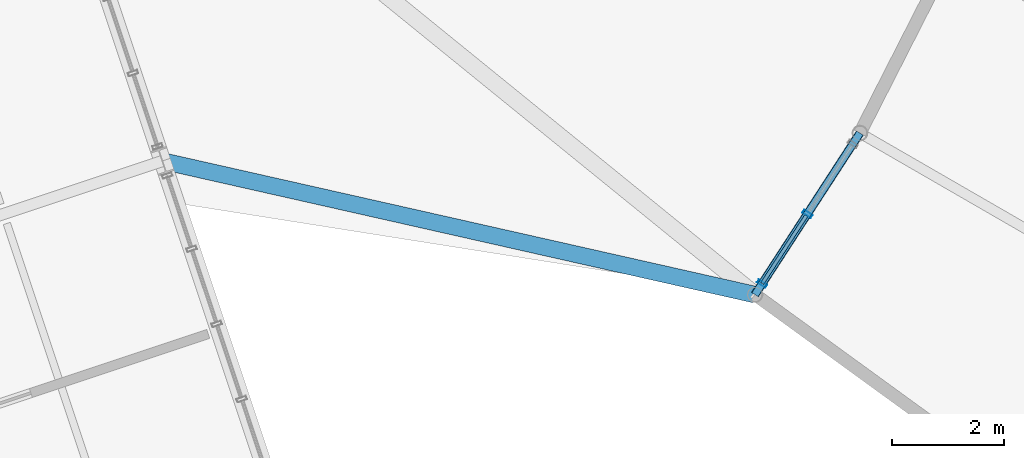
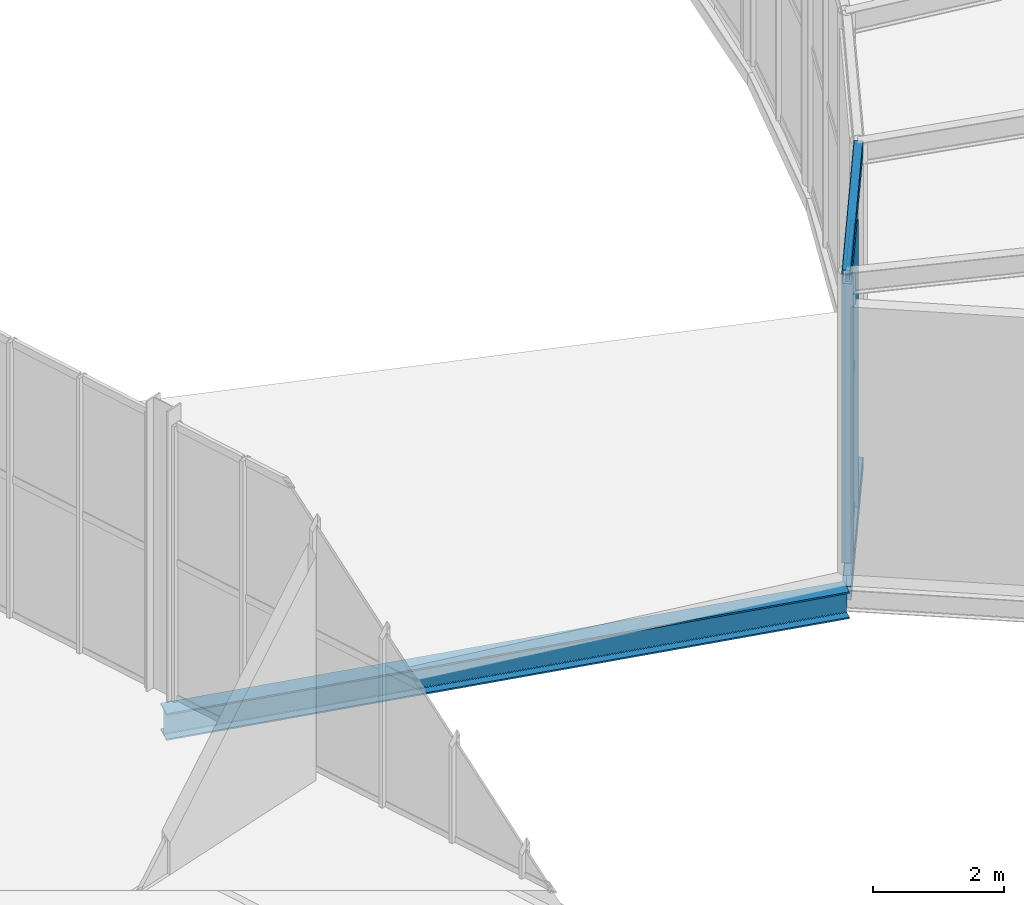
# One storey, part 84 of 158: 5 members, 3 beams, 1 element without a shape of its own.
"""IFC4 building model written with IfcOpenShell, lengths in metres."""

from ifc_helpers import new_model, si_unit, derived_unit, direction, frame, origin, origin_2d, place, context, subcontext, project, spatial, hollow_rectangle, i_section, extrude, material, material_profile, profile_set, type_object, element, aggregate, save


model = new_model("IFC4")

# Units and contexts
model_context = context("Model", 3, precision=1e-05, world=origin(), true_north=direction((0.0, 1.0)))
body_context = subcontext(model_context, "Body", "Model", "MODEL_VIEW")
ifc_project = project(units=[si_unit("LENGTHUNIT", "METRE"), si_unit("AREAUNIT", "SQUARE_METRE"), si_unit("VOLUMEUNIT", "CUBIC_METRE"), si_unit("PLANEANGLEUNIT", "RADIAN"), si_unit("MASSUNIT", "GRAM", prefix="KILO"), si_unit("THERMODYNAMICTEMPERATUREUNIT", "KELVIN"), si_unit("TIMEUNIT", "SECOND"), derived_unit("THERMALTRANSMITTANCEUNIT", [(si_unit("MASSUNIT", "GRAM", prefix="KILO"), 1), (si_unit("THERMODYNAMICTEMPERATUREUNIT", "KELVIN"), -1), (si_unit("TIMEUNIT", "SECOND"), -3)])], contexts=[model_context])

# Site, building, storey
site_placement = place(None, origin())
site = spatial("IfcSite", under=ifc_project, at=site_placement, CompositionType="ELEMENT")
building_placement = place(site_placement, origin())
building = spatial("IfcBuilding", under=site, at=building_placement, Name="Cambertide Market Hall", CompositionType="ELEMENT")
storey_placement = place(building_placement, origin())
storey = spatial("IfcBuildingStorey", under=building, at=storey_placement, Name="L01", CompositionType="ELEMENT", Elevation=0.0)

# Curtain wall, members
ifc_material_1 = material(Name="Marine Anodized Aluminium 6063-T6 AA25", Category="aluminium")
curtain_wall_type = type_object("IfcCurtainWallType", Name="Promenade Crescent Inner Glazed Wall", PredefinedType="USERDEFINED", material=ifc_material_1)
curtain_wall_placement = place(storey_placement, origin())
curtain_wall = element("IfcCurtainWall", 1, at=curtain_wall_placement, inside=storey, type_object=curtain_wall_type, Name="Level 1 Curtain Wall CW-V5I-L01-1", ObjectType="UNITIZED CURTAIN WALL", PredefinedType="USERDEFINED")
ifc_material_2 = material(Name="Champagne Marine Anodized Aluminium 6063-T6 AA25", Category="aluminium")
ifc_material_profile_1 = material_profile(ifc_material_2, hollow_rectangle(XDim=0.06494140625, YDim=0.179931640625, WallThickness=0.00390625, at=origin_2d()), Name="ALU MULLION 65x180")
ifc_profile_set_1 = profile_set([ifc_material_profile_1], Name="Champagne Marine Anodized Aluminium 6063-T6 AA25")
member_type_1 = type_object("IfcMemberType", Name="Curtain Wall Mullion ALU MULLION 65x180", PredefinedType="MULLION", material=ifc_profile_set_1)
member_1_placement = place(storey_placement, frame((170.825439453125, 46.80029296875, 0.0), z_axis=(0.0, 0.0, 1.0), x_axis=(0.544638974123, 0.838670607489, 0.0)))
member_1 = element("IfcMember", 2, at=member_1_placement, type_object=member_type_1, Name="CW-V5I-L01-1 Mullion 1", PredefinedType="MULLION", context=body_context, shape_type="SweptSolid", body=[
    extrude(hollow_rectangle(XDim=0.06494140625, YDim=0.179931640625, WallThickness=0.00390625, at=origin_2d()), origin(), (0.0, 0.0, 1.0), 5.300048828125),
])
member_2_placement = place(storey_placement, frame((171.63818359375, 48.051513671875, 0.0), z_axis=(0.0, 0.0, 1.0), x_axis=(0.544638974123, 0.838670607489, 0.0)))
member_2 = element("IfcMember", 3, at=member_2_placement, type_object=member_type_1, Name="CW-V5I-L01-1 Mullion 2", PredefinedType="MULLION", context=body_context, shape_type="SweptSolid", body=[
    extrude(hollow_rectangle(XDim=0.06494140625, YDim=0.179931640625, WallThickness=0.00390625, at=origin_2d()), origin(), (0.0, 0.0, 1.0), 5.300048828125),
])
ifc_material_3 = material(Name="Champagne Marine Anodized Aluminium 6063-T6 AA25", Category="aluminium")
ifc_material_profile_2 = material_profile(ifc_material_3, hollow_rectangle(XDim=0.06494140625, YDim=0.139892578125, WallThickness=0.00341796875, at=origin_2d()), Name="ALU TRANSOM 65x140")
ifc_profile_set_2 = profile_set([ifc_material_profile_2], Name="Champagne Marine Anodized Aluminium 6063-T6 AA25")
member_type_2 = type_object("IfcMemberType", Name="Curtain Wall Transom ALU TRANSOM 65x140", PredefinedType="USERDEFINED", material=ifc_profile_set_2)
member_3_placement = place(storey_placement, frame((170.828369140625, 46.804443359375, 0.034912109375), z_axis=(0.544614690265, 0.838686377109, 0.0), x_axis=(-0.838686377109, 0.544614690265, 0.0)))
member_3 = element("IfcMember", 4, at=member_3_placement, type_object=member_type_2, Name="CW-V5I-L01-1 Transom 1-1", ObjectType="TRANSOM", PredefinedType="USERDEFINED", context=body_context, shape_type="SweptSolid", body=[
    extrude(hollow_rectangle(XDim=0.06494140625, YDim=0.139892578125, WallThickness=0.00341796875, at=origin_2d()), origin(), (0.0, 0.0, 1.0), 1.447021484375),
])
member_4_placement = place(storey_placement, frame((170.828369140625, 46.804443359375, 2.64990234375), z_axis=(0.544614690265, 0.838686377109, 0.0), x_axis=(-0.838686377109, 0.544614690265, 0.0)))
member_4 = element("IfcMember", 5, at=member_4_placement, type_object=member_type_2, Name="CW-V5I-L01-1 Transom 2-1", ObjectType="TRANSOM", PredefinedType="USERDEFINED", context=body_context, shape_type="SweptSolid", body=[
    extrude(hollow_rectangle(XDim=0.06494140625, YDim=0.139892578125, WallThickness=0.00341796875, at=origin_2d()), origin(), (0.0, 0.0, 1.0), 1.447021484375),
])
member_5_placement = place(storey_placement, frame((170.828369140625, 46.804443359375, 5.264892578125), z_axis=(0.544614690265, 0.838686377109, 0.0), x_axis=(-0.838686377109, 0.544614690265, 0.0)))
member_5 = element("IfcMember", 6, at=member_5_placement, type_object=member_type_2, Name="CW-V5I-L01-1 Transom 3-1", ObjectType="TRANSOM", PredefinedType="USERDEFINED", context=body_context, shape_type="SweptSolid", body=[
    extrude(hollow_rectangle(XDim=0.06494140625, YDim=0.139892578125, WallThickness=0.00341796875, at=origin_2d()), origin(), (0.0, 0.0, 1.0), 1.447021484375),
])
aggregate(curtain_wall, [member_1, member_2, member_3, member_4, member_5])

# Beams
ifc_material_4 = material(Name="Steel S355", Category="steel")
ifc_material_profile_3 = material_profile(ifc_material_4, i_section(OverallWidth=0.300048828125, OverallDepth=0.5, WebThickness=0.014404296875, FlangeThickness=0.028076171875, FilletRadius=0.027099609375, at=origin_2d()), Name="HEB 500")
ifc_profile_set_3 = profile_set([ifc_material_profile_3], Name="Steel S355")
beam_type_1 = type_object("IfcBeamType", Name="Exterior Steel Girder HEB 500", PredefinedType="BEAM", material=ifc_profile_set_3)
beam_1_placement = place(storey_placement, frame((160.074951171875, 48.99853515625, -0.544921875), z_axis=(0.975502807847, -0.219986981167, 0.0), x_axis=(0.219986981167, 0.975502807847, 0.0)))
element("IfcBeam", 7, at=beam_1_placement, inside=storey, type_object=beam_type_1, Name="Level 1 Beam TIE-V3V5-2", PredefinedType="BEAM", context=body_context, shape_type="SweptSolid", body=[
    extrude(i_section(OverallWidth=0.300048828125, OverallDepth=0.5, WebThickness=0.014404296875, FlangeThickness=0.028076171875, FilletRadius=0.027099609375, at=origin_2d()), origin(), (0.0, 0.0, 1.0), 10.889404296875),
])
ifc_material_5 = material(Name="Steel S355", Category="steel")
ifc_material_profile_4 = material_profile(ifc_material_5, hollow_rectangle(XDim=0.14990234375, YDim=0.25, WallThickness=0.008056640625, InnerFilletRadius=0.008056640625, OuterFilletRadius=0.01611328125, at=origin_2d()), Name="RHS 250x150x8")
ifc_profile_set_4 = profile_set([ifc_material_profile_4], Name="Steel S355")
beam_type_2 = type_object("IfcBeamType", Name="Exterior Steel Girder RHS 250x150x8", PredefinedType="BEAM", material=ifc_profile_set_4)
beam_2_placement = place(storey_placement, frame((170.697509765625, 46.60302734375, 5.455078125), z_axis=(0.544645472755, 0.838666387193, 0.0), x_axis=(-0.838666387193, 0.544645472755, 0.0)))
element("IfcBeam", 8, at=beam_2_placement, inside=storey, type_object=beam_type_2, Name="Level 1 Beam BM-V5C-CAN-IN-1", PredefinedType="BEAM", context=body_context, shape_type="SweptSolid", body=[
    extrude(hollow_rectangle(XDim=0.14990234375, YDim=0.25, WallThickness=0.008056640625, InnerFilletRadius=0.008056640625, OuterFilletRadius=0.01611328125, at=origin_2d()), origin(), (0.0, 0.0, 1.0), 3.454345703125),
])
ifc_material_6 = material(Name="Steel S355", Category="steel")
ifc_material_profile_5 = material_profile(ifc_material_6, hollow_rectangle(XDim=0.14990234375, YDim=0.25, WallThickness=0.008056640625, InnerFilletRadius=0.008056640625, OuterFilletRadius=0.01611328125, at=origin_2d()), Name="RHS 250x150x8")
ifc_profile_set_5 = profile_set([ifc_material_profile_5], Name="Steel S355")
beam_type_3 = type_object("IfcBeamType", Name="Steel Girder RHS 250x150x8", PredefinedType="BEAM", material=ifc_profile_set_5)
beam_3_placement = place(storey_placement, frame((170.697509765625, 46.60302734375, -0.425048828125), z_axis=(0.544645472755, 0.838666387193, 0.0), x_axis=(-0.838666387193, 0.544645472755, 0.0)))
element("IfcBeam", 9, at=beam_3_placement, inside=storey, type_object=beam_type_3, Name="Level 1 Beam BM-V5C-FLR-IN-1", PredefinedType="BEAM", context=body_context, shape_type="SweptSolid", body=[
    extrude(hollow_rectangle(XDim=0.14990234375, YDim=0.25, WallThickness=0.008056640625, InnerFilletRadius=0.008056640625, OuterFilletRadius=0.01611328125, at=origin_2d()), origin(), (0.0, 0.0, 1.0), 3.454345703125),
])

save(model, "model.ifc")
